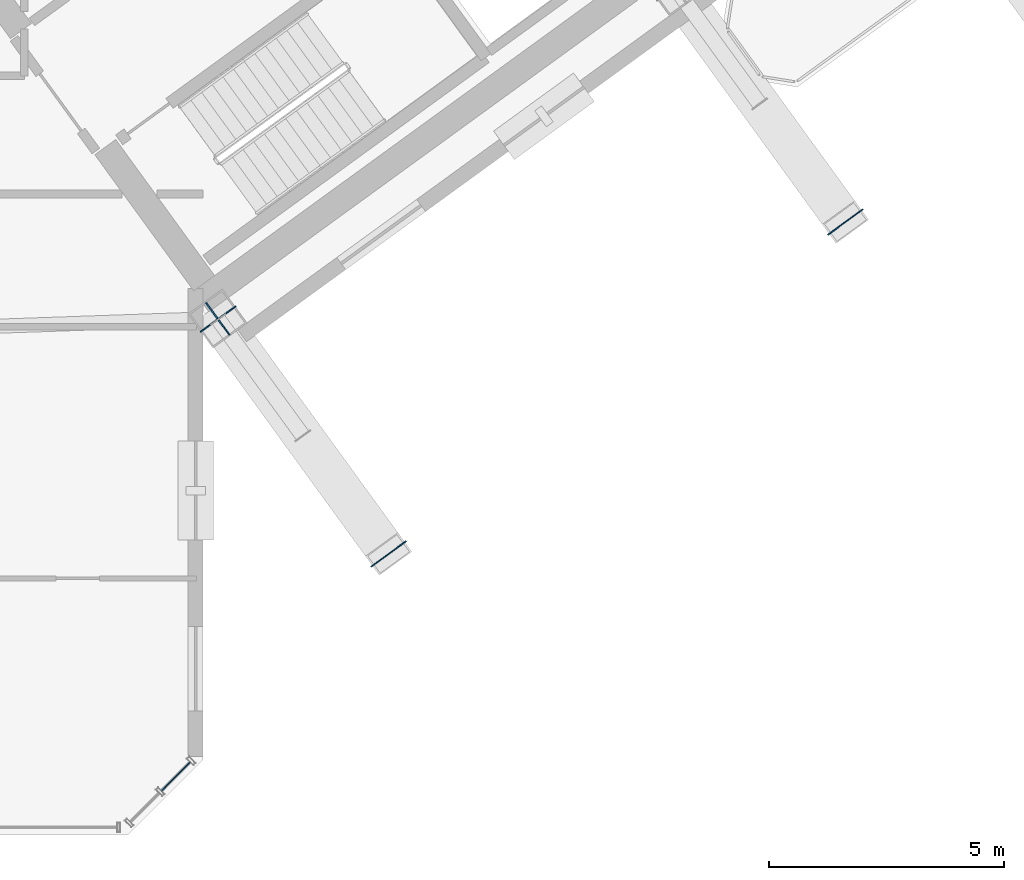
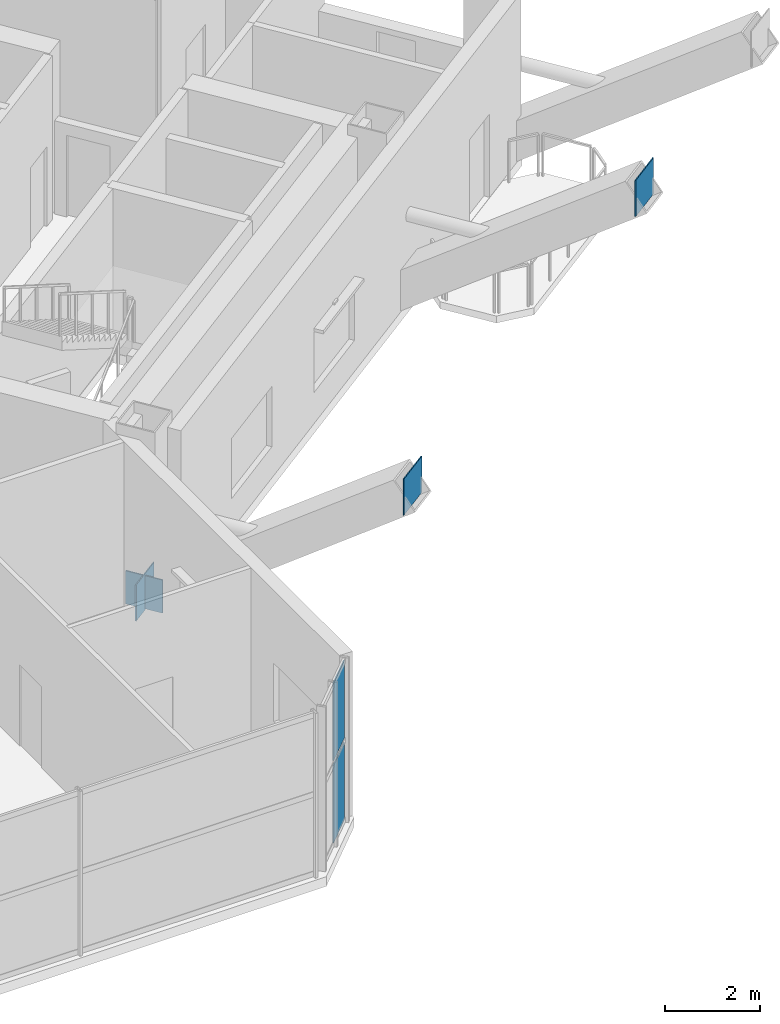
# One storey, part 13 of 32: 6 plates, 1 element without a shape of its own.
"""IFC4 building model written with IfcOpenShell, lengths in metres."""

import ifcopenshell
import ifcopenshell.guid

model = None  # the IFC model being written
_history = None  # IfcOwnerHistory: only IFC2X3 demands one
_inside = {}  # id of a spatial element -> (the spatial element, [elements in it])
_under = {}  # id of a project, library or spatial element -> (it, [spatial elements below it])
_declared = {}  # id of a project -> (the project, [libraries it declares])
_typed = {}  # id of a type object -> (the type object, [elements of that type])
_made_of = {}  # id of a material, layer set ... -> (it, [elements and type objects made of it])


def new_model(schema):
    """Start an empty IFC model of exactly this schema.

    Asked for "IFC4X3", IfcOpenShell would pick the latest addendum, in which some entities
    have other attributes; the version numbers below select the first issue.
    IFC2X3 requires an IfcOwnerHistory on every rooted entity: one is made here for all.
    """
    global model, _history
    if schema == "IFC4X3":
        model = ifcopenshell.file(schema_version=(4, 3, 0, 0))
    else:
        model = ifcopenshell.file(schema=schema)
    _inside.clear()
    _under.clear()
    _declared.clear()
    _typed.clear()
    _made_of.clear()
    _history = None
    if model.schema == "IFC2X3":
        org = make("IfcOrganization", Name="unknown")
        user = make(
            "IfcPersonAndOrganization",
            ThePerson=make("IfcPerson", FamilyName="unknown"),
            TheOrganization=org,
        )
        app = make(
            "IfcApplication",
            ApplicationDeveloper=org,
            Version="unknown",
            ApplicationFullName="unknown",
            ApplicationIdentifier="unknown",
        )
        _history = make(
            "IfcOwnerHistory",
            OwningUser=user,
            OwningApplication=app,
            ChangeAction="ADDED",
            CreationDate=0,
        )
    return model


def make(cls, **values):
    """One entity of the class cls with the attributes given. An attribute that is None is left unset."""
    return model.create_entity(
        cls, **{name: value for name, value in values.items() if value is not None}
    )


def rooted(cls, **values):
    """An entity with a GlobalId (a new one), such as an element, a storey or a relation."""
    return make(cls, GlobalId=ifcopenshell.guid.new(), OwnerHistory=_history, **values)


def si_unit(unit_type, name, prefix=None):
    """IfcSIUnit, for example si_unit("LENGTHUNIT", "METRE", prefix="MILLI")."""
    return make("IfcSIUnit", UnitType=unit_type, Prefix=prefix, Name=name)


def assignment(units):
    """IfcUnitAssignment: the units of a project."""
    return None if units is None else make("IfcUnitAssignment", Units=units)


def point(xyz):
    """IfcCartesianPoint."""
    return None if xyz is None else make("IfcCartesianPoint", Coordinates=xyz)


def direction(xyz):
    """IfcDirection."""
    return None if xyz is None else make("IfcDirection", DirectionRatios=xyz)


def frame(location, z_axis=None, x_axis=None):
    """IfcAxis2Placement3D, a coordinate frame: its origin and axes. An axis left out is left unset."""
    return make(
        "IfcAxis2Placement3D",
        Location=point(location),
        Axis=direction(z_axis),
        RefDirection=direction(x_axis),
    )


def frame_2d(location, x_axis=None):
    """IfcAxis2Placement2D, a coordinate frame in the plane: its origin and x axis."""
    return make(
        "IfcAxis2Placement2D", Location=point(location), RefDirection=direction(x_axis)
    )


def origin():
    """The frame at (0, 0, 0) with its axes left unset."""
    return frame((0.0, 0.0, 0.0))


def origin_2d():
    """The frame at (0, 0) in the plane with its x axis left unset."""
    return frame_2d((0.0, 0.0))


def place(relative_to, where):
    """IfcLocalPlacement: puts the frame where relative to a parent placement (None: the world)."""
    return make(
        "IfcLocalPlacement", PlacementRelTo=relative_to, RelativePlacement=where
    )


def context(
    kind, dimensions, precision=None, world=None, true_north=None, identifier=None
):
    """IfcGeometricRepresentationContext, for example the 3D "Model" context."""
    return make(
        "IfcGeometricRepresentationContext",
        ContextIdentifier=identifier,
        ContextType=kind,
        CoordinateSpaceDimension=dimensions,
        Precision=precision,
        WorldCoordinateSystem=world,
        TrueNorth=true_north,
    )


def subcontext(parent, identifier, kind, view, scale=None):
    """IfcGeometricRepresentationSubContext, for example "Body" below "Model"."""
    return make(
        "IfcGeometricRepresentationSubContext",
        ContextIdentifier=identifier,
        ContextType=kind,
        ParentContext=parent,
        TargetScale=scale,
        TargetView=view,
    )


def project(units=None, contexts=None):
    """IfcProject with its units and contexts."""
    return rooted(
        "IfcProject",
        Name="project",
        RepresentationContexts=contexts,
        UnitsInContext=assignment(units),
    )


def spatial(cls, under=None, at=None, **own):
    """A site, building, storey or space (cls), placed at a placement, below another one or the project."""
    s = rooted(cls, ObjectPlacement=at, **own)
    if under is not None:
        _under.setdefault(under.id(), (under, []))[1].append(s)
    return s


def profile(cls, at=None, kind="AREA", **sizes):
    """A parametric profile (cls). Its sizes go by their IFC names, for example OverallWidth=200.0."""
    return make(cls, ProfileType=kind, Position=at, **sizes)


def rectangle(**sizes):
    """IfcRectangleProfileDef."""
    return profile("IfcRectangleProfileDef", **sizes)


def extrude(swept, where, along, depth):
    """IfcExtrudedAreaSolid: the profile swept, set in the frame where, extruded along a direction by depth."""
    return make(
        "IfcExtrudedAreaSolid",
        SweptArea=swept,
        Position=where,
        ExtrudedDirection=direction(along),
        Depth=depth,
    )


def shape(context_of_items, identifier, shape_type, items):
    """IfcShapeRepresentation: the items that make up one representation, for example the "Body"."""
    return make(
        "IfcShapeRepresentation",
        ContextOfItems=context_of_items,
        RepresentationIdentifier=identifier,
        RepresentationType=shape_type,
        Items=items,
    )


def source(mapping_origin, context_of_items, identifier, shape_type, items):
    """IfcRepresentationMap: a shape defined once, which mapped items show again and again."""
    return make(
        "IfcRepresentationMap",
        MappingOrigin=mapping_origin,
        MappedRepresentation=shape(context_of_items, identifier, shape_type, items),
    )


def transform(
    local_origin,
    x_axis=None,
    y_axis=None,
    z_axis=None,
    scale=None,
    scale2=None,
    scale3=None,
    uniform=True,
):
    """IfcCartesianTransformationOperator3D, or its non-uniform kind. x_axis, y_axis, z_axis: its Axis1, 2, 3."""
    if uniform:
        return make(
            "IfcCartesianTransformationOperator3D",
            Axis1=direction(x_axis),
            Axis2=direction(y_axis),
            LocalOrigin=point(local_origin),
            Scale=scale,
            Axis3=direction(z_axis),
        )
    return make(
        "IfcCartesianTransformationOperator3DnonUniform",
        Axis1=direction(x_axis),
        Axis2=direction(y_axis),
        LocalOrigin=point(local_origin),
        Scale=scale,
        Axis3=direction(z_axis),
        Scale2=scale2,
        Scale3=scale3,
    )


def mapped(mapping_source, mapping_target):
    """IfcMappedItem: shows the shape of a source again, moved by a transform."""
    return make(
        "IfcMappedItem", MappingSource=mapping_source, MappingTarget=mapping_target
    )


def material(Name=None, Category=None):
    """IfcMaterial."""
    return make("IfcMaterial", Name=Name, Category=Category)


def layer(
    of_material, thickness, ventilated=None, Name=None, Category=None, Priority=None
):
    """IfcMaterialLayer: one layer of a wall or slab, of a material (None: an air gap)."""
    return make(
        "IfcMaterialLayer",
        Material=of_material,
        LayerThickness=thickness,
        IsVentilated=ventilated,
        Name=Name,
        Category=Category,
        Priority=Priority,
    )


def layer_set(layers, Name=None):
    """IfcMaterialLayerSet."""
    return make("IfcMaterialLayerSet", MaterialLayers=layers, LayerSetName=Name)


def made_of(thing, what):
    """Note that an element or type object is made of a material, layer set ...; save() writes the relation."""
    if what is not None:
        _made_of.setdefault(what.id(), (what, []))[1].append(thing)
    return thing


def type_object(cls, material=None, **own):
    """A type object (cls), such as IfcWallType, which elements share."""
    return made_of(rooted(cls, **own), material)


def element(
    cls,
    number,
    at=None,
    inside=None,
    cuts=None,
    type_object=None,
    material=None,
    context=None,
    identifier="Body",
    shape_type=None,
    held_by="IfcProductDefinitionShape",
    body=None,
    shapes=None,
    **own,
):
    """One element of the class cls, such as IfcWall. Its Tag is "e" and its number.

    at: its placement. inside: the storey or other place that contains it. cuts: it is an
    opening in that element (IfcRelVoidsElement). A single representation is given by context,
    identifier, shape_type and body (its items); several are given by shapes. held_by: the class
    of the entity that holds the representations. save() writes the other relations.
    """
    e = rooted(cls, Tag="e%d" % number, ObjectPlacement=at, **own)
    if body is not None:
        shapes = [shape(context, identifier, shape_type, body)]
    if shapes is not None:
        e.Representation = make(held_by, Representations=shapes)
    if inside is not None:
        _inside.setdefault(inside.id(), (inside, []))[1].append(e)
    if cuts is not None:
        rooted(
            "IfcRelVoidsElement", RelatingBuildingElement=cuts, RelatedOpeningElement=e
        )
    if type_object is not None:
        _typed.setdefault(type_object.id(), (type_object, []))[1].append(e)
    return made_of(e, material)


def aggregate(whole, parts):
    """IfcRelAggregates: a whole, such as a stair, and the parts it consists of."""
    return rooted("IfcRelAggregates", RelatingObject=whole, RelatedObjects=parts)


def save(model, path):
    """Write the relations noted so far, then the file.

    IfcRelAggregates (storeys below a building ...), IfcRelContainedInSpatialStructure (elements
    in a storey), IfcRelDefinesByType, IfcRelAssociatesMaterial and IfcRelDeclares: one each for
    every whole, place, type object, material and project.
    """
    for whole, parts in _under.values():
        aggregate(whole, parts)
    for where, things in _inside.values():
        rooted(
            "IfcRelContainedInSpatialStructure",
            RelatedElements=things,
            RelatingStructure=where,
        )
    for kind, things in _typed.values():
        rooted("IfcRelDefinesByType", RelatedObjects=things, RelatingType=kind)
    for what, things in _made_of.values():
        rooted("IfcRelAssociatesMaterial", RelatedObjects=things, RelatingMaterial=what)
    for by, libraries in _declared.values():
        rooted("IfcRelDeclares", RelatingContext=by, RelatedDefinitions=libraries)
    model.write(path)


model = new_model("IFC4")

# Units and contexts
model_context = context("Model", 3, precision=1e-05, world=origin(), true_north=direction((0.0, 1.0)))
body_context = subcontext(model_context, "Body", "Model", "MODEL_VIEW")
ifc_project = project(units=[si_unit("LENGTHUNIT", "METRE"), si_unit("AREAUNIT", "SQUARE_METRE"), si_unit("VOLUMEUNIT", "CUBIC_METRE"), si_unit("PLANEANGLEUNIT", "RADIAN"), si_unit("MASSUNIT", "GRAM", prefix="KILO")], contexts=[model_context])

# Site, building, storey
site_placement = place(None, origin())
site = spatial("IfcSite", under=ifc_project, at=site_placement, CompositionType="ELEMENT")
building_placement = place(site_placement, origin())
building = spatial("IfcBuilding", under=site, at=building_placement, Name="Tlacorven Tower", CompositionType="ELEMENT")
storey_placement = place(building_placement, frame((0.0, 0.0, 123.300048828125)))
storey = spatial("IfcBuildingStorey", under=building, at=storey_placement, Name="L31", CompositionType="ELEMENT", Elevation=123.300048828125)

# Plates
ifc_material_1 = material(Name="Steel S460M", Category="steel")
ifc_layer_1 = layer(ifc_material_1, 0.02392578125)
ifc_layer_set_1 = layer_set([ifc_layer_1], Name="Steel S460M")
plate_type_1 = type_object("IfcPlateType", Name="PL-CAP-END1", PredefinedType="USERDEFINED", material=ifc_layer_set_1)
shared_shape_1 = source(origin(), body_context, "Body", "SweptSolid", [
    extrude(rectangle(XDim=0.02392578125, YDim=0.929931640625, at=origin_2d()), origin(), (0.0, 0.0, 1.0), 0.929931640625),
])
for number, where, z_axis, x_axis, name in (
    (1, (52.71484375, 12.76025390625, -0.453125), (0.0, 0.0, 1.0), (0.587785265382, -0.809016984865, 0.0), "L31 hollow end cap plate RAK-L31-E1 1"),
    (2, (56.340087890625, 7.7705078125, 4.0234375), (0.0, 0.0, 1.0), (0.587785265382, -0.809016984865, 0.0), "L31 hollow end cap plate RAK-L31-E1 2"),
    (3, (66.04833984375, 14.823974609375, 4.0234375), (0.0, 0.0, 1.0), (0.587785265382, -0.809016984865, 0.0), "L31 hollow end cap plate RAK-L31-E3 2"),
):
    element("IfcPlate", number, at=place(storey_placement, frame(where, z_axis=z_axis, x_axis=x_axis)), inside=storey, type_object=plate_type_1, Name=name, ObjectType="END PLATE", PredefinedType="USERDEFINED", context=body_context, shape_type="MappedRepresentation", body=[
        mapped(shared_shape_1, transform((0.0, 0.0, 0.0), scale=1.0)),
    ])
ifc_layer_2 = layer(ifc_material_1, 0.031982421875)
ifc_layer_set_2 = layer_set([ifc_layer_2], Name="Steel S460M")
plate_type_2 = type_object("IfcPlateType", Name="PL-NODE-KN1", PredefinedType="SHEET", material=ifc_layer_set_2)
shared_shape_2 = source(origin(), body_context, "Body", "SweptSolid", [
    extrude(rectangle(XDim=0.85009765625, YDim=0.031982421875, at=origin_2d()), origin(), (0.0, 0.0, 1.0), 0.85009765625),
])
plate_1_placement = place(storey_placement, frame((52.710205078125, 12.766845703125, -0.419189453125), z_axis=(0.0, 0.0, 1.0), x_axis=(0.587785265382, -0.809016984865, 0.0)))
element("IfcPlate", 4, at=plate_1_placement, inside=storey, type_object=plate_type_2, Name="L31 structural node gusset plate RAK-L31-E1", PredefinedType="SHEET", context=body_context, shape_type="MappedRepresentation", body=[
    mapped(shared_shape_2, transform((0.0, 0.0, 0.0), scale=1.0)),
])

# Curtain wall, plates
ifc_material_2 = material(Name="Dark solar low-E double glazing in aluminium frame", Category="aluminium")
curtain_wall_type = type_object("IfcCurtainWallType", Name="CW-TWR-MID", PredefinedType="USERDEFINED", material=ifc_material_2)
curtain_wall_placement = place(storey_placement, origin())
curtain_wall = element("IfcCurtainWall", 5, at=curtain_wall_placement, inside=storey, type_object=curtain_wall_type, Name="L31 CW-TWR-MID Curtain Wall 151", ObjectType="UNITISED CURTAIN WALL", PredefinedType="USERDEFINED")
ifc_material_3 = material(Name="High-wind dark solar tempered low-E glazing", Category="glass")
ifc_layer_3 = layer(ifc_material_3, 0.028076171875)
ifc_layer_set_3 = layer_set([ifc_layer_3], Name="High-wind dark solar tempered low-E glazing")
plate_type_3 = type_object("IfcPlateType", Name="CWP-03", PredefinedType="CURTAIN_PANEL", material=ifc_layer_set_3)
shared_shape_3 = source(origin(), body_context, "Body", "SweptSolid", [
    extrude(rectangle(XDim=0.885498046875, YDim=0.028076171875, at=origin_2d()), origin(), (0.0, 0.0, 1.0), 1.988037109375),
])
plate_2_placement = place(storey_placement, frame((51.816650390625, 3.04296875, 0.06103515625), z_axis=(0.0, 0.0, 1.0), x_axis=(-0.707106781187, -0.707106781187, 0.0)))
plate_2 = element("IfcPlate", 6, at=plate_2_placement, type_object=plate_type_3, Name="CW-L31-151 Glazing Panel 1", PredefinedType="CURTAIN_PANEL", context=body_context, shape_type="MappedRepresentation", body=[
    mapped(shared_shape_3, transform((0.0, 0.0, 0.0), scale=1.0)),
])
plate_3_placement = place(storey_placement, frame((51.816650390625, 3.04296875, 2.1708984375), z_axis=(0.0, 0.0, 1.0), x_axis=(-0.707106781187, -0.707106781187, 0.0)))
plate_3 = element("IfcPlate", 7, at=plate_3_placement, type_object=plate_type_3, Name="CW-L31-151 Glazing Panel 2", PredefinedType="CURTAIN_PANEL", context=body_context, shape_type="MappedRepresentation", body=[
    mapped(shared_shape_3, transform((0.0, 0.0, 0.0), scale=1.0)),
])
aggregate(curtain_wall, [plate_2, plate_3])

save(model, "model.ifc")
